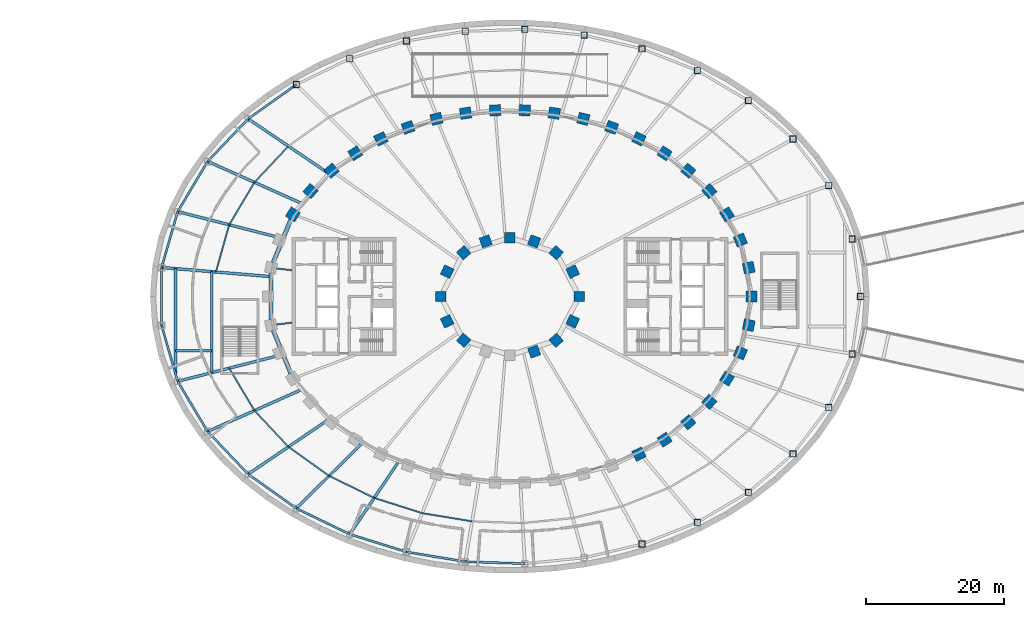
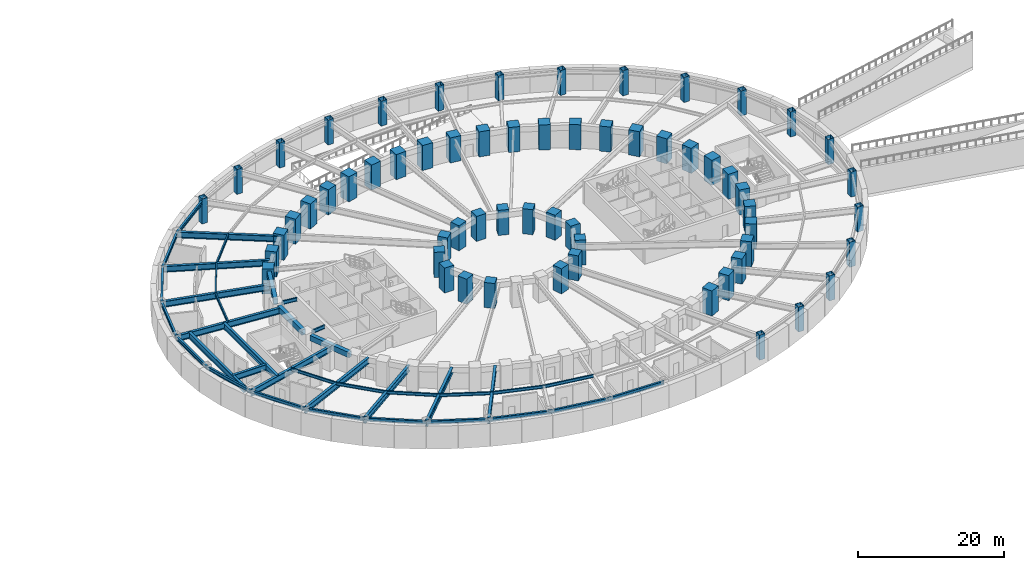
# One storey, part 7 of 32: 61 columns, 39 beams.
"""IFC4 building model written with IfcOpenShell, lengths in metres."""

from ifc_helpers import new_model, si_unit, direction, frame, origin, origin_2d, place, context, subcontext, project, spatial, rectangle, hollow_rectangle, i_section, extrude, material, material_profile, profile_set, type_object, element, save


model = new_model("IFC4")

# Units and contexts
model_context = context("Model", 3, precision=1e-05, world=origin(), true_north=direction((0.0, 1.0)))
body_context = subcontext(model_context, "Body", "Model", "MODEL_VIEW")
ifc_project = project(units=[si_unit("LENGTHUNIT", "METRE"), si_unit("AREAUNIT", "SQUARE_METRE"), si_unit("VOLUMEUNIT", "CUBIC_METRE"), si_unit("PLANEANGLEUNIT", "RADIAN"), si_unit("MASSUNIT", "GRAM", prefix="KILO")], contexts=[model_context])

# Site, building, storey
site_placement = place(None, origin())
site = spatial("IfcSite", under=ifc_project, at=site_placement, CompositionType="ELEMENT")
building_placement = place(site_placement, origin())
building = spatial("IfcBuilding", under=site, at=building_placement, Name="Noorbagh Ring Tower", CompositionType="ELEMENT")
storey_placement = place(building_placement, frame((0.0, 0.0, -4.199951171875)))
storey = spatial("IfcBuildingStorey", under=building, at=storey_placement, Name="B1", CompositionType="ELEMENT", Elevation=-4.199951171875)

# Columns
ifc_material_1 = material(Name="Steel S355", Category="steel")
ifc_material_profile_1 = material_profile(ifc_material_1, hollow_rectangle(XDim=0.89990234375, YDim=0.89990234375, WallThickness=0.044921875, at=origin_2d()), Name="BOX900x900x45")
ifc_profile_set_1 = profile_set([ifc_material_profile_1], Name="Steel S355")
column_type_1 = type_object("IfcColumnType", Name="GND-COL-BOX900x900x45", PredefinedType="COLUMN", material=ifc_profile_set_1)
for number, where, z_axis, x_axis, name in (
    (1, (50.646484375, 0.0, 0.0), (0.0, 0.0, 1.0), (1.0, 0.0, 0.0), "B1/col/RP-01"),
    (2, (49.4609375, 8.304443359375, 0.0), (0.0, 0.0, 1.0), (1.0, 0.0, 0.0), "B1/col/RP-02"),
    (3, (46.081298828125, 16.021240234375, 0.0), (0.0, 0.0, 1.0), (1.0, 0.0, 0.0), "B1/col/RP-03"),
    (4, (40.927734375, 22.75, 0.0), (0.0, 0.0, 1.0), (1.0, 0.0, 0.0), "B1/col/RP-04"),
    (5, (34.46484375, 28.306884765625, 0.0), (0.0, 0.0, 1.0), (1.0, 0.0, 0.0), "B1/col/RP-05"),
    (6, (27.0869140625, 32.648193359375, 0.0), (0.0, 0.0, 1.0), (1.0, 0.0, 0.0), "B1/col/RP-06"),
    (7, (19.0966796875, 35.791748046875, 0.0), (0.0, 0.0, 1.0), (1.0, 0.0, 0.0), "B1/col/RP-07"),
    (8, (10.724609375, 37.771240234375, 0.0), (0.0, 0.0, 1.0), (1.0, 0.0, 0.0), "B1/col/RP-08"),
    (9, (2.154541015625, 38.6142578125, 0.0), (0.0, 0.0, 1.0), (1.0, 0.0, 0.0), "B1/col/RP-09"),
    (10, (-6.4541015625, 38.33349609375, 0.0), (0.0, 0.0, 1.0), (1.0, 0.0, 0.0), "B1/col/RP-10"),
    (11, (-14.946044921875, 36.925048828125, 0.0), (0.0, 0.0, 1.0), (1.0, 0.0, 0.0), "B1/col/RP-11"),
    (12, (-23.152587890625, 34.36767578125, 0.0), (0.0, 0.0, 1.0), (1.0, 0.0, 0.0), "B1/col/RP-12"),
    (13, (-30.869384765625, 30.629150390625, 0.0), (0.0, 0.0, 1.0), (1.0, 0.0, 0.0), "B1/col/RP-13"),
    (14, (19.0966796875, -35.791748046875, 0.0), (0.0, 0.0, 1.0), (1.0, 0.0, 0.0), "B1/col/RP-28"),
    (15, (27.0869140625, -32.648193359375, 0.0), (0.0, 0.0, 1.0), (1.0, 0.0, 0.0), "B1/col/RP-29"),
    (16, (34.46484375, -28.306884765625, 0.0), (0.0, 0.0, 1.0), (1.0, 0.0, 0.0), "B1/col/RP-30"),
    (17, (40.927734375, -22.75, 0.0), (0.0, 0.0, 1.0), (1.0, 0.0, 0.0), "B1/col/RP-31"),
    (18, (46.081298828125, -16.021240234375, 0.0), (0.0, 0.0, 1.0), (1.0, 0.0, 0.0), "B1/col/RP-32"),
    (19, (49.4609375, -8.304443359375, 0.0), (0.0, 0.0, 1.0), (1.0, 0.0, 0.0), "B1/col/RP-33"),
):
    element("IfcColumn", number, at=place(storey_placement, frame(where, z_axis=z_axis, x_axis=x_axis)), inside=storey, type_object=column_type_1, Name=name, PredefinedType="COLUMN", context=body_context, shape_type="SweptSolid", body=[
        extrude(hollow_rectangle(XDim=0.89990234375, YDim=0.89990234375, WallThickness=0.044921875, at=origin_2d()), origin(), (0.0, 0.0, 1.0), 4.199951171875),
    ])
ifc_material_2 = material(Name="Concrete C70/85", Category="concrete")
ifc_material_profile_2 = material_profile(ifc_material_2, rectangle(XDim=1.60009765625, YDim=1.60009765625, at=origin_2d()), Name="RC1600x1600")
ifc_profile_set_2 = profile_set([ifc_material_profile_2], Name="Concrete C70/85")
column_type_2 = type_object("IfcColumnType", Name="STR-COL-RC1600x1600-C70-85", PredefinedType="COLUMN", material=ifc_profile_set_2)
for number, where, z_axis, x_axis, name in (
    (20, (34.944580078125, 0.0, 0.0), (0.0, 0.0, 1.0), (0.0, 1.0, 0.0), "B1/col/R1-01"),
    (21, (34.52685546875, 4.150634765625, 0.0), (0.0, 0.0, 1.0), (-0.19723040178, 0.9803571638, 0.0), "B1/col/R1-02"),
    (22, (33.30517578125, 8.1494140625, 0.0), (0.0, 0.0, 1.0), (-0.378989499959, 0.925400971969, 0.0), "B1/col/R1-03"),
    (23, (31.364990234375, 11.87109375, 0.0), (0.0, 0.0, 1.0), (-0.535190403059, 0.844731455833, 0.0), "B1/col/R1-04"),
    (24, (28.81884765625, 15.23046875, 0.0), (0.0, 0.0, 1.0), (-0.662635642662, 0.748941923699, 0.0), "B1/col/R1-05"),
    (25, (25.78271484375, 18.180419921875, 0.0), (0.0, 0.0, 1.0), (-0.763035199656, 0.646356932419, 0.0), "B1/col/R1-06"),
    (26, (22.362060546875, 20.699951171875, 0.0), (0.0, 0.0, 1.0), (-0.840247639643, 0.542202825586, 0.0), "B1/col/R1-07"),
    (27, (18.646240234375, 22.785400390625, 0.0), (0.0, 0.0, 1.0), (-0.898399080868, 0.439180021741, 0.0), "B1/col/R1-08"),
    (28, (14.70947265625, 24.44091796875, 0.0), (0.0, 0.0, 1.0), (-0.941024726094, 0.338337797003, 0.0), "B1/col/R1-09"),
    (29, (10.61328125, 25.673583984375, 0.0), (0.0, 0.0, 1.0), (-0.970829360981, 0.239771457553, 0.0), "B1/col/R1-10"),
    (30, (6.4091796875, 26.49072265625, 0.0), (0.0, 0.0, 1.0), (-0.989713114048, 0.143066249975, 0.0), "B1/col/R1-11"),
    (31, (2.14306640625, 26.89794921875, 0.0), (0.0, 0.0, 1.0), (-0.998868731212, 0.047552684538, 0.0), "B1/col/R1-12"),
    (32, (-2.14306640625, 26.89794921875, 0.0), (0.0, 0.0, 1.0), (-0.998868731212, -0.047552684538, 0.0), "B1/col/R1-13"),
    (33, (-6.4091796875, 26.49072265625, 0.0), (0.0, 0.0, 1.0), (-0.989713114048, -0.143066249975, 0.0), "B1/col/R1-14"),
    (34, (-10.61328125, 25.673583984375, 0.0), (0.0, 0.0, 1.0), (-0.970829360981, -0.239771457553, 0.0), "B1/col/R1-15"),
    (35, (-14.70947265625, 24.44091796875, 0.0), (0.0, 0.0, 1.0), (-0.941024726094, -0.338337797003, 0.0), "B1/col/R1-16"),
    (36, (-18.646240234375, 22.785400390625, 0.0), (0.0, 0.0, 1.0), (-0.898399080868, -0.439180021741, 0.0), "B1/col/R1-17"),
    (37, (-22.362060546875, 20.699951171875, 0.0), (0.0, 0.0, 1.0), (-0.840247639643, -0.542202825586, 0.0), "B1/col/R1-18"),
    (38, (-25.78271484375, 18.180419921875, 0.0), (0.0, 0.0, 1.0), (-0.763035199656, -0.646356932419, 0.0), "B1/col/R1-19"),
    (39, (-28.81884765625, 15.23046875, 0.0), (0.0, 0.0, 1.0), (-0.662635642662, -0.748941923699, 0.0), "B1/col/R1-20"),
    (40, (-31.364990234375, 11.87109375, 0.0), (0.0, 0.0, 1.0), (-0.535190403059, -0.844731455833, 0.0), "B1/col/R1-21"),
    (41, (18.646240234375, -22.785400390625, 0.0), (0.0, 0.0, 1.0), (0.898399080868, 0.439180021741, 0.0), "B1/col/R1-40"),
    (42, (22.362060546875, -20.699951171875, 0.0), (0.0, 0.0, 1.0), (0.840247639643, 0.542202825586, 0.0), "B1/col/R1-41"),
    (43, (25.78271484375, -18.180419921875, 0.0), (0.0, 0.0, 1.0), (0.763035199656, 0.646356932419, 0.0), "B1/col/R1-42"),
    (44, (28.81884765625, -15.23046875, 0.0), (0.0, 0.0, 1.0), (0.662635642662, 0.748941923699, 0.0), "B1/col/R1-43"),
    (45, (31.364990234375, -11.87109375, 0.0), (0.0, 0.0, 1.0), (0.535190403059, 0.844731455833, 0.0), "B1/col/R1-44"),
    (46, (33.30517578125, -8.1494140625, 0.0), (0.0, 0.0, 1.0), (0.378989499959, 0.925400971969, 0.0), "B1/col/R1-45"),
    (47, (34.52685546875, -4.150634765625, 0.0), (0.0, 0.0, 1.0), (0.19723040178, 0.9803571638, 0.0), "B1/col/R1-46"),
):
    element("IfcColumn", number, at=place(storey_placement, frame(where, z_axis=z_axis, x_axis=x_axis)), inside=storey, type_object=column_type_2, Name=name, PredefinedType="COLUMN", context=body_context, shape_type="SweptSolid", body=[
        extrude(rectangle(XDim=1.60009765625, YDim=1.60009765625, at=origin_2d()), origin(), (0.0, 0.0, 1.0), 4.199951171875),
    ])
ifc_material_3 = material(Name="Concrete C70/85", Category="concrete")
ifc_material_profile_3 = material_profile(ifc_material_3, rectangle(XDim=1.5, YDim=1.5, at=origin_2d()), Name="RC1500x1500")
ifc_profile_set_3 = profile_set([ifc_material_profile_3], Name="Concrete C70/85")
column_type_3 = type_object("IfcColumnType", Name="STR-ICOL-RC1500x1500-C70-85", PredefinedType="COLUMN", material=ifc_profile_set_3)
for number, where, z_axis, x_axis, name in (
    (48, (10.00830078125, 0.0, 0.0), (0.0, 0.0, 1.0), (0.0, 1.0, 0.0), "B1/col/IR2-W01"),
    (49, (9.07568359375, 3.58837890625, 0.0), (0.0, 0.0, 1.0), (-0.428666979171, 0.903462573087, 0.0), "B1/col/IR2-W03"),
    (50, (6.68212890625, 6.333740234375, 0.0), (0.0, 0.0, 1.0), (-0.75102249095, 0.660276622399, 0.0), "B1/col/IR2-W05"),
    (51, (3.5009765625, 7.967041015625, 0.0), (0.0, 0.0, 1.0), (-0.939019578916, 0.343863679984, 0.0), "B1/col/IR2-W07"),
    (52, (0.0, 8.5029296875, 0.0), (0.0, 0.0, 1.0), (-1.0, 0.0, 0.0), "B1/col/IR2-W09"),
    (53, (-3.5009765625, 7.967041015625, 0.0), (0.0, 0.0, 1.0), (-0.939019578916, -0.343863679984, 0.0), "B1/col/IR2-W11"),
    (54, (-6.68212890625, 6.333740234375, 0.0), (0.0, 0.0, 1.0), (-0.75102249095, -0.660276622399, 0.0), "B1/col/IR2-W13"),
    (55, (-9.07568359375, 3.58837890625, 0.0), (0.0, 0.0, 1.0), (-0.428666979171, -0.903462573087, 0.0), "B1/col/IR2-W15"),
    (56, (-10.00830078125, 0.0, 0.0), (0.0, 0.0, 1.0), (0.0, -1.0, 0.0), "B1/col/IR2-W17"),
    (57, (-9.07568359375, -3.58837890625, 0.0), (0.0, 0.0, 1.0), (0.428666979171, -0.903462573087, 0.0), "B1/col/IR2-W19"),
    (58, (-6.68212890625, -6.333740234375, 0.0), (0.0, 0.0, 1.0), (0.75102249095, -0.660276622399, 0.0), "B1/col/IR2-W21"),
    (59, (3.5009765625, -7.967041015625, 0.0), (0.0, 0.0, 1.0), (0.939019578916, 0.343863679984, 0.0), "B1/col/IR2-W27"),
    (60, (6.68212890625, -6.333740234375, 0.0), (0.0, 0.0, 1.0), (0.75102249095, 0.660276622399, 0.0), "B1/col/IR2-W29"),
    (61, (9.07568359375, -3.58837890625, 0.0), (0.0, 0.0, 1.0), (0.428666979171, 0.903462573087, 0.0), "B1/col/IR2-W31"),
):
    element("IfcColumn", number, at=place(storey_placement, frame(where, z_axis=z_axis, x_axis=x_axis)), inside=storey, type_object=column_type_3, Name=name, PredefinedType="COLUMN", context=body_context, shape_type="SweptSolid", body=[
        extrude(rectangle(XDim=1.5, YDim=1.5, at=origin_2d()), origin(), (0.0, 0.0, 1.0), 4.199951171875),
    ])

# Beams
ifc_material_4 = material(Name="Steel S355", Category="steel")
ifc_material_profile_4 = material_profile(ifc_material_4, i_section(OverallWidth=0.300048828125, OverallDepth=0.60009765625, WebThickness=0.015380859375, FlangeThickness=0.030029296875, FilletRadius=0.027099609375, at=origin_2d()), Name="HEB600")
ifc_profile_set_4 = profile_set([ifc_material_profile_4], Name="Steel S355")
beam_type_1 = type_object("IfcBeamType", Name="GND-EDGE-BEAM-HEB600", PredefinedType="BEAM", material=ifc_profile_set_4)
beam_1_placement = place(storey_placement, frame((-30.869384765625, 30.629150390625, 3.550048828125), z_axis=(-0.815104059745, -0.579314570667, 0.0), x_axis=(0.579314570667, -0.815104059745, 0.0)))
element("IfcBeam", 62, at=beam_1_placement, inside=storey, type_object=beam_type_1, Name="B1/bm/ERP-13", PredefinedType="BEAM", context=body_context, shape_type="SweptSolid", body=[
    extrude(i_section(OverallWidth=0.300048828125, OverallDepth=0.60009765625, WebThickness=0.015380859375, FlangeThickness=0.030029296875, FilletRadius=0.027099609375, at=origin_2d()), origin(), (0.0, 0.0, 1.0), 8.543212890625),
])
beam_2_placement = place(storey_placement, frame((-37.8330078125, 25.679931640625, 3.550048828125), z_axis=(-0.689738356688, -0.724058698804, 0.0), x_axis=(0.724058698804, -0.689738356688, 0.0)))
element("IfcBeam", 63, at=beam_2_placement, inside=storey, type_object=beam_type_1, Name="B1/bm/ERP-14", PredefinedType="BEAM", context=body_context, shape_type="SweptSolid", body=[
    extrude(i_section(OverallWidth=0.300048828125, OverallDepth=0.60009765625, WebThickness=0.015380859375, FlangeThickness=0.030029296875, FilletRadius=0.027099609375, at=origin_2d()), origin(), (0.0, 0.0, 1.0), 8.500732421875),
])
beam_3_placement = place(storey_placement, frame((-43.6962890625, 19.52490234375, 3.550048828125), z_axis=(-0.511999358166, -0.858985830638, 0.0), x_axis=(0.858985830638, -0.511999358166, 0.0)))
element("IfcBeam", 64, at=beam_3_placement, inside=storey, type_object=beam_type_1, Name="B1/bm/ERP-15", PredefinedType="BEAM", context=body_context, shape_type="SweptSolid", body=[
    extrude(i_section(OverallWidth=0.300048828125, OverallDepth=0.60009765625, WebThickness=0.015380859375, FlangeThickness=0.030029296875, FilletRadius=0.027099609375, at=origin_2d()), origin(), (0.0, 0.0, 1.0), 8.449462890625),
])
beam_4_placement = place(storey_placement, frame((-48.0224609375, 12.266845703125, 3.550048828125), z_axis=(-0.276646874617, -0.960971647222, 0.0), x_axis=(0.960971647222, -0.276646874617, 0.0)))
element("IfcBeam", 65, at=beam_4_placement, inside=storey, type_object=beam_type_1, Name="B1/bm/ERP-16", PredefinedType="BEAM", context=body_context, shape_type="SweptSolid", body=[
    extrude(i_section(OverallWidth=0.300048828125, OverallDepth=0.60009765625, WebThickness=0.015380859375, FlangeThickness=0.030029296875, FilletRadius=0.027099609375, at=origin_2d()), origin(), (0.0, 0.0, 1.0), 8.403076171875),
])
beam_5_placement = place(storey_placement, frame((-50.34716796875, 4.191650390625, 3.550048828125), z_axis=(0.0, -1.0, 0.0), x_axis=(1.0, 0.0, 0.0)))
element("IfcBeam", 66, at=beam_5_placement, inside=storey, type_object=beam_type_1, Name="B1/bm/ERP-17", PredefinedType="BEAM", context=body_context, shape_type="SweptSolid", body=[
    extrude(i_section(OverallWidth=0.300048828125, OverallDepth=0.60009765625, WebThickness=0.015380859375, FlangeThickness=0.030029296875, FilletRadius=0.027099609375, at=origin_2d()), origin(), (0.0, 0.0, 1.0), 8.38330078125),
])
beam_6_placement = place(storey_placement, frame((-50.34716796875, -4.191650390625, 3.550048828125), z_axis=(0.276646874617, -0.960971647222, 0.0), x_axis=(0.960971647222, 0.276646874617, 0.0)))
element("IfcBeam", 67, at=beam_6_placement, inside=storey, type_object=beam_type_1, Name="B1/bm/ERP-18", PredefinedType="BEAM", context=body_context, shape_type="SweptSolid", body=[
    extrude(i_section(OverallWidth=0.300048828125, OverallDepth=0.60009765625, WebThickness=0.015380859375, FlangeThickness=0.030029296875, FilletRadius=0.027099609375, at=origin_2d()), origin(), (0.0, 0.0, 1.0), 8.403076171875),
])
beam_7_placement = place(storey_placement, frame((-48.0224609375, -12.266845703125, 3.550048828125), z_axis=(0.511999358166, -0.858985830638, 0.0), x_axis=(0.858985830638, 0.511999358166, 0.0)))
element("IfcBeam", 68, at=beam_7_placement, inside=storey, type_object=beam_type_1, Name="B1/bm/ERP-19", PredefinedType="BEAM", context=body_context, shape_type="SweptSolid", body=[
    extrude(i_section(OverallWidth=0.300048828125, OverallDepth=0.60009765625, WebThickness=0.015380859375, FlangeThickness=0.030029296875, FilletRadius=0.027099609375, at=origin_2d()), origin(), (0.0, 0.0, 1.0), 8.449462890625),
])
beam_8_placement = place(storey_placement, frame((-43.6962890625, -19.52490234375, 3.550048828125), z_axis=(0.689738356688, -0.724058698804, 0.0), x_axis=(0.724058698804, 0.689738356688, 0.0)))
element("IfcBeam", 69, at=beam_8_placement, inside=storey, type_object=beam_type_1, Name="B1/bm/ERP-20", PredefinedType="BEAM", context=body_context, shape_type="SweptSolid", body=[
    extrude(i_section(OverallWidth=0.300048828125, OverallDepth=0.60009765625, WebThickness=0.015380859375, FlangeThickness=0.030029296875, FilletRadius=0.027099609375, at=origin_2d()), origin(), (0.0, 0.0, 1.0), 8.500732421875),
])
beam_9_placement = place(storey_placement, frame((-37.8330078125, -25.679931640625, 3.550048828125), z_axis=(0.815104059745, -0.579314570667, 0.0), x_axis=(0.579314570667, 0.815104059745, 0.0)))
element("IfcBeam", 70, at=beam_9_placement, inside=storey, type_object=beam_type_1, Name="B1/bm/ERP-21", PredefinedType="BEAM", context=body_context, shape_type="SweptSolid", body=[
    extrude(i_section(OverallWidth=0.300048828125, OverallDepth=0.60009765625, WebThickness=0.015380859375, FlangeThickness=0.030029296875, FilletRadius=0.027099609375, at=origin_2d()), origin(), (0.0, 0.0, 1.0), 8.543212890625),
])
beam_10_placement = place(storey_placement, frame((-30.869384765625, -30.629150390625, 3.550048828125), z_axis=(0.89994920641, -0.435994754421, 0.0), x_axis=(0.435994754421, 0.89994920641, 0.0)))
element("IfcBeam", 71, at=beam_10_placement, inside=storey, type_object=beam_type_1, Name="B1/bm/ERP-22", PredefinedType="BEAM", context=body_context, shape_type="SweptSolid", body=[
    extrude(i_section(OverallWidth=0.300048828125, OverallDepth=0.60009765625, WebThickness=0.015380859375, FlangeThickness=0.030029296875, FilletRadius=0.027099609375, at=origin_2d()), origin(), (0.0, 0.0, 1.0), 8.57470703125),
])
beam_11_placement = place(storey_placement, frame((-23.152587890625, -34.36767578125, 3.550048828125), z_axis=(0.954717204091, -0.297514806713, 0.0), x_axis=(0.297514806713, 0.954717204091, 0.0)))
element("IfcBeam", 72, at=beam_11_placement, inside=storey, type_object=beam_type_1, Name="B1/bm/ERP-23", PredefinedType="BEAM", context=body_context, shape_type="SweptSolid", body=[
    extrude(i_section(OverallWidth=0.300048828125, OverallDepth=0.60009765625, WebThickness=0.015380859375, FlangeThickness=0.030029296875, FilletRadius=0.027099609375, at=origin_2d()), origin(), (0.0, 0.0, 1.0), 8.595703125),
])
beam_12_placement = place(storey_placement, frame((-14.946044921875, -36.925048828125, 3.550048828125), z_axis=(0.986523163949, -0.163621658075, 0.0), x_axis=(0.163621658075, 0.986523163949, 0.0)))
element("IfcBeam", 73, at=beam_12_placement, inside=storey, type_object=beam_type_1, Name="B1/bm/ERP-24", PredefinedType="BEAM", context=body_context, shape_type="SweptSolid", body=[
    extrude(i_section(OverallWidth=0.300048828125, OverallDepth=0.60009765625, WebThickness=0.015380859375, FlangeThickness=0.030029296875, FilletRadius=0.027099609375, at=origin_2d()), origin(), (0.0, 0.0, 1.0), 8.60791015625),
])
beam_13_placement = place(storey_placement, frame((-6.4541015625, -38.33349609375, 3.550048828125), z_axis=(0.999468589483, -0.032596604688, 0.0), x_axis=(0.032596604688, 0.999468589483, 0.0)))
element("IfcBeam", 74, at=beam_13_placement, inside=storey, type_object=beam_type_1, Name="B1/bm/ERP-25", PredefinedType="BEAM", context=body_context, shape_type="SweptSolid", body=[
    extrude(i_section(OverallWidth=0.300048828125, OverallDepth=0.60009765625, WebThickness=0.015380859375, FlangeThickness=0.030029296875, FilletRadius=0.027099609375, at=origin_2d()), origin(), (0.0, 0.0, 1.0), 8.61328125),
])
ifc_material_5 = material(Name="Steel S355", Category="steel")
ifc_material_profile_5 = material_profile(ifc_material_5, i_section(OverallWidth=0.39990234375, OverallDepth=1.0, WebThickness=0.01611328125, FlangeThickness=0.0400390625, at=origin_2d()), Name="PG1000x400x16x40")
ifc_profile_set_5 = profile_set([ifc_material_profile_5], Name="Steel S355")
beam_type_2 = type_object("IfcBeamType", Name="GND-GIRDER-PG1000x400x16x40", PredefinedType="BEAM", material=ifc_profile_set_5)
beam_14_placement = place(storey_placement, frame((-37.8330078125, 25.679931640625, 3.349853515625), z_axis=(0.82739656341, -0.561618132593, 0.0), x_axis=(0.561618132593, 0.82739656341, 0.0)))
element("IfcBeam", 75, at=beam_14_placement, inside=storey, type_object=beam_type_2, Name="B1/bm/GRP-14", PredefinedType="BEAM", context=body_context, shape_type="SweptSolid", body=[
    extrude(i_section(OverallWidth=0.39990234375, OverallDepth=1.0, WebThickness=0.01611328125, FlangeThickness=0.0400390625, at=origin_2d()), origin(), (0.0, 0.0, 1.0), 14.06640625),
])
beam_15_placement = place(storey_placement, frame((-43.6962890625, 19.52490234375, 3.349853515625), z_axis=(0.91299879945, -0.4079622436, 0.0), x_axis=(0.4079622436, 0.91299879945, 0.0)))
element("IfcBeam", 76, at=beam_15_placement, inside=storey, type_object=beam_type_2, Name="B1/bm/GRP-15", PredefinedType="BEAM", context=body_context, shape_type="SweptSolid", body=[
    extrude(i_section(OverallWidth=0.39990234375, OverallDepth=1.0, WebThickness=0.01611328125, FlangeThickness=0.0400390625, at=origin_2d()), origin(), (0.0, 0.0, 1.0), 14.8359375),
])
beam_16_placement = place(storey_placement, frame((-48.0224609375, 12.266845703125, 3.349853515625), z_axis=(0.968889089752, -0.247495316642, 0.0), x_axis=(0.247495316642, 0.968889089752, 0.0)))
element("IfcBeam", 77, at=beam_16_placement, inside=storey, type_object=beam_type_2, Name="B1/bm/GRP-16", PredefinedType="BEAM", context=body_context, shape_type="SweptSolid", body=[
    extrude(i_section(OverallWidth=0.39990234375, OverallDepth=1.0, WebThickness=0.01611328125, FlangeThickness=0.0400390625, at=origin_2d()), origin(), (0.0, 0.0, 1.0), 15.35986328125),
])
beam_17_placement = place(storey_placement, frame((-50.34716796875, 4.191650390625, 3.349853515625), z_axis=(0.996552811546, -0.082960796767, 0.0), x_axis=(0.082960796767, 0.996552811546, 0.0)))
element("IfcBeam", 78, at=beam_17_placement, inside=storey, type_object=beam_type_2, Name="B1/bm/GRP-17", PredefinedType="BEAM", context=body_context, shape_type="SweptSolid", body=[
    extrude(i_section(OverallWidth=0.39990234375, OverallDepth=1.0, WebThickness=0.01611328125, FlangeThickness=0.0400390625, at=origin_2d()), origin(), (0.0, 0.0, 1.0), 15.7470703125),
])
beam_18_placement = place(storey_placement, frame((-48.0224609375, -12.266845703125, 3.349853515625), z_axis=(0.968889089752, 0.247495316642, 0.0), x_axis=(-0.247495316642, 0.968889089752, 0.0)))
element("IfcBeam", 79, at=beam_18_placement, inside=storey, type_object=beam_type_2, Name="B1/bm/GRP-19", PredefinedType="BEAM", context=body_context, shape_type="SweptSolid", body=[
    extrude(i_section(OverallWidth=0.39990234375, OverallDepth=1.0, WebThickness=0.01611328125, FlangeThickness=0.0400390625, at=origin_2d()), origin(), (0.0, 0.0, 1.0), 15.35986328125),
])
beam_19_placement = place(storey_placement, frame((-43.6962890625, -19.52490234375, 3.349853515625), z_axis=(0.91299879945, 0.4079622436, 0.0), x_axis=(-0.4079622436, 0.91299879945, 0.0)))
element("IfcBeam", 80, at=beam_19_placement, inside=storey, type_object=beam_type_2, Name="B1/bm/GRP-20", PredefinedType="BEAM", context=body_context, shape_type="SweptSolid", body=[
    extrude(i_section(OverallWidth=0.39990234375, OverallDepth=1.0, WebThickness=0.01611328125, FlangeThickness=0.0400390625, at=origin_2d()), origin(), (0.0, 0.0, 1.0), 14.8359375),
])
beam_20_placement = place(storey_placement, frame((-37.8330078125, -25.679931640625, 3.349853515625), z_axis=(0.82739656341, 0.561618132593, 0.0), x_axis=(-0.561618132593, 0.82739656341, 0.0)))
element("IfcBeam", 81, at=beam_20_placement, inside=storey, type_object=beam_type_2, Name="B1/bm/GRP-21", PredefinedType="BEAM", context=body_context, shape_type="SweptSolid", body=[
    extrude(i_section(OverallWidth=0.39990234375, OverallDepth=1.0, WebThickness=0.01611328125, FlangeThickness=0.0400390625, at=origin_2d()), origin(), (0.0, 0.0, 1.0), 14.06640625),
])
beam_21_placement = place(storey_placement, frame((-30.869384765625, -30.629150390625, 3.349853515625), z_axis=(0.70986613718, 0.704336615039, 0.0), x_axis=(-0.704336615039, 0.70986613718, 0.0)))
element("IfcBeam", 82, at=beam_21_placement, inside=storey, type_object=beam_type_2, Name="B1/bm/GRP-22", PredefinedType="BEAM", context=body_context, shape_type="SweptSolid", body=[
    extrude(i_section(OverallWidth=0.39990234375, OverallDepth=1.0, WebThickness=0.01611328125, FlangeThickness=0.0400390625, at=origin_2d()), origin(), (0.0, 0.0, 1.0), 13.333984375),
])
beam_22_placement = place(storey_placement, frame((-23.152587890625, -34.36767578125, 3.349853515625), z_axis=(0.558711358029, 0.829362175656, 0.0), x_axis=(-0.829362175656, 0.558711358029, 0.0)))
element("IfcBeam", 83, at=beam_22_placement, inside=storey, type_object=beam_type_2, Name="B1/bm/GRP-23", PredefinedType="BEAM", context=body_context, shape_type="SweptSolid", body=[
    extrude(i_section(OverallWidth=0.39990234375, OverallDepth=1.0, WebThickness=0.01611328125, FlangeThickness=0.0400390625, at=origin_2d()), origin(), (0.0, 0.0, 1.0), 12.6630859375),
])
beam_23_placement = place(storey_placement, frame((-48.35009765625, -11.128662109375, 3.349853515625), z_axis=(0.0, 1.0, 0.0), x_axis=(-1.0, 0.0, 0.0)))
element("IfcBeam", 84, at=beam_23_placement, inside=storey, type_object=beam_type_2, Name="B1/bm/WB-ST-P3-W", PredefinedType="BEAM", context=body_context, shape_type="SweptSolid", body=[
    extrude(i_section(OverallWidth=0.39990234375, OverallDepth=1.0, WebThickness=0.01611328125, FlangeThickness=0.0400390625, at=origin_2d()), origin(), (0.0, 0.0, 1.0), 15.154052734375),
])
beam_24_placement = place(storey_placement, frame((-43.10009765625, -11.009521484375, 3.349853515625), z_axis=(0.0, 1.0, 0.0), x_axis=(-1.0, 0.0, 0.0)))
element("IfcBeam", 85, at=beam_24_placement, inside=storey, type_object=beam_type_2, Name="B1/bm/WB-ST-P3-E", PredefinedType="BEAM", context=body_context, shape_type="SweptSolid", body=[
    extrude(i_section(OverallWidth=0.39990234375, OverallDepth=1.0, WebThickness=0.01611328125, FlangeThickness=0.0400390625, at=origin_2d()), origin(), (0.0, 0.0, 1.0), 14.597900390625),
])
beam_25_placement = place(storey_placement, frame((-48.35009765625, -7.85009765625, 3.349853515625), z_axis=(1.0, 0.0, 0.0), x_axis=(0.0, 1.0, 0.0)))
element("IfcBeam", 86, at=beam_25_placement, inside=storey, type_object=beam_type_2, Name="B1/bm/WB-ST-P3-S", PredefinedType="BEAM", context=body_context, shape_type="SweptSolid", body=[
    extrude(i_section(OverallWidth=0.39990234375, OverallDepth=1.0, WebThickness=0.01611328125, FlangeThickness=0.0400390625, at=origin_2d()), origin(), (0.0, 0.0, 1.0), 5.25),
])
ifc_material_6 = material(Name="Steel S355", Category="steel")
ifc_material_profile_6 = material_profile(ifc_material_6, i_section(OverallWidth=0.199951171875, OverallDepth=0.5, WebThickness=0.01025390625, FlangeThickness=0.01611328125, FilletRadius=0.02099609375, at=origin_2d()), Name="IPE500")
ifc_profile_set_6 = profile_set([ifc_material_profile_6], Name="Steel S355")
beam_type_3 = type_object("IfcBeamType", Name="GND-MID-BEAM-IPE500", PredefinedType="JOIST", material=ifc_profile_set_6)
beam_26_placement = place(storey_placement, frame((-32.013916015625, 21.72998046875, 3.599853515625), z_axis=(-0.684360968268, -0.729143377609, 0.0), x_axis=(0.729143377609, -0.684360968268, 0.0)))
element("IfcBeam", 87, at=beam_26_placement, inside=storey, type_object=beam_type_3, Name="B1/bm/MRP-14", PredefinedType="JOIST", context=body_context, shape_type="SweptSolid", body=[
    extrude(i_section(OverallWidth=0.199951171875, OverallDepth=0.5, WebThickness=0.01025390625, FlangeThickness=0.01611328125, FilletRadius=0.02099609375, at=origin_2d()), origin(), (0.0, 0.0, 1.0), 7.174560546875),
])
beam_27_placement = place(storey_placement, frame((-36.923828125, 16.498779296875, 3.599853515625), z_axis=(-0.512221226457, -0.858853546984, 0.0), x_axis=(0.858853546984, -0.512221226457, 0.0)))
element("IfcBeam", 88, at=beam_27_placement, inside=storey, type_object=beam_type_3, Name="B1/bm/MRP-15", PredefinedType="JOIST", context=body_context, shape_type="SweptSolid", body=[
    extrude(i_section(OverallWidth=0.199951171875, OverallDepth=0.5, WebThickness=0.01025390625, FlangeThickness=0.01611328125, FilletRadius=0.02099609375, at=origin_2d()), origin(), (0.0, 0.0, 1.0), 7.140380859375),
])
beam_28_placement = place(storey_placement, frame((-40.581298828125, 10.3662109375, 3.599853515625), z_axis=(-0.270635919065, -0.962681774686, 0.0), x_axis=(0.962681774686, -0.270635919065, 0.0)))
element("IfcBeam", 89, at=beam_28_placement, inside=storey, type_object=beam_type_3, Name="B1/bm/MRP-16", PredefinedType="JOIST", context=body_context, shape_type="SweptSolid", body=[
    extrude(i_section(OverallWidth=0.199951171875, OverallDepth=0.5, WebThickness=0.01025390625, FlangeThickness=0.01611328125, FilletRadius=0.02099609375, at=origin_2d()), origin(), (0.0, 0.0, 1.0), 7.09228515625),
])
beam_29_placement = place(storey_placement, frame((-40.581298828125, -10.3662109375, 3.599853515625), z_axis=(0.512221226457, -0.858853546984, 0.0), x_axis=(0.858853546984, 0.512221226457, 0.0)))
element("IfcBeam", 90, at=beam_29_placement, inside=storey, type_object=beam_type_3, Name="B1/bm/MRP-19", PredefinedType="JOIST", context=body_context, shape_type="SweptSolid", body=[
    extrude(i_section(OverallWidth=0.199951171875, OverallDepth=0.5, WebThickness=0.01025390625, FlangeThickness=0.01611328125, FilletRadius=0.02099609375, at=origin_2d()), origin(), (0.0, 0.0, 1.0), 7.140380859375),
])
beam_30_placement = place(storey_placement, frame((-36.923828125, -16.498779296875, 3.599853515625), z_axis=(0.684360968268, -0.729143377609, 0.0), x_axis=(0.729143377609, 0.684360968268, 0.0)))
element("IfcBeam", 91, at=beam_30_placement, inside=storey, type_object=beam_type_3, Name="B1/bm/MRP-20", PredefinedType="JOIST", context=body_context, shape_type="SweptSolid", body=[
    extrude(i_section(OverallWidth=0.199951171875, OverallDepth=0.5, WebThickness=0.01025390625, FlangeThickness=0.01611328125, FilletRadius=0.02099609375, at=origin_2d()), origin(), (0.0, 0.0, 1.0), 7.174560546875),
])
beam_31_placement = place(storey_placement, frame((-32.013916015625, -21.72998046875, 3.599853515625), z_axis=(0.813381743113, -0.581730298308, 0.0), x_axis=(0.581730298308, 0.813381743113, 0.0)))
element("IfcBeam", 92, at=beam_31_placement, inside=storey, type_object=beam_type_3, Name="B1/bm/MRP-21", PredefinedType="JOIST", context=body_context, shape_type="SweptSolid", body=[
    extrude(i_section(OverallWidth=0.199951171875, OverallDepth=0.5, WebThickness=0.01025390625, FlangeThickness=0.01611328125, FilletRadius=0.02099609375, at=origin_2d()), origin(), (0.0, 0.0, 1.0), 7.2255859375),
])
beam_32_placement = place(storey_placement, frame((-26.13671875, -25.933349609375, 3.599853515625), z_axis=(0.898658812704, -0.438648308271, 0.0), x_axis=(0.438648308271, 0.898658812704, 0.0)))
element("IfcBeam", 93, at=beam_32_placement, inside=storey, type_object=beam_type_3, Name="B1/bm/MRP-22", PredefinedType="JOIST", context=body_context, shape_type="SweptSolid", body=[
    extrude(i_section(OverallWidth=0.199951171875, OverallDepth=0.5, WebThickness=0.01025390625, FlangeThickness=0.01611328125, FilletRadius=0.02099609375, at=origin_2d()), origin(), (0.0, 0.0, 1.0), 7.257080078125),
])
beam_33_placement = place(storey_placement, frame((-19.614990234375, -29.11669921875, 3.599853515625), z_axis=(0.9531202752, -0.302591706765, 0.0), x_axis=(0.302591706765, 0.9531202752, 0.0)))
element("IfcBeam", 94, at=beam_33_placement, inside=storey, type_object=beam_type_3, Name="B1/bm/MRP-23", PredefinedType="JOIST", context=body_context, shape_type="SweptSolid", body=[
    extrude(i_section(OverallWidth=0.199951171875, OverallDepth=0.5, WebThickness=0.01025390625, FlangeThickness=0.01611328125, FilletRadius=0.02099609375, at=origin_2d()), origin(), (0.0, 0.0, 1.0), 7.279296875),
])
beam_34_placement = place(storey_placement, frame((-12.677001953125, -31.3193359375, 3.599853515625), z_axis=(0.986756598534, -0.162207938309, 0.0), x_axis=(0.162207938309, 0.986756598534, 0.0)))
element("IfcBeam", 95, at=beam_34_placement, inside=storey, type_object=beam_type_3, Name="B1/bm/MRP-24", PredefinedType="JOIST", context=body_context, shape_type="SweptSolid", body=[
    extrude(i_section(OverallWidth=0.199951171875, OverallDepth=0.5, WebThickness=0.01025390625, FlangeThickness=0.01611328125, FilletRadius=0.02099609375, at=origin_2d()), origin(), (0.0, 0.0, 1.0), 7.30126953125),
])
ifc_material_7 = material(Name="Steel S355", Category="steel")
ifc_material_profile_7 = material_profile(ifc_material_7, i_section(OverallWidth=0.219970703125, OverallDepth=0.60009765625, WebThickness=0.011962890625, FlangeThickness=0.01904296875, FilletRadius=0.02392578125, at=origin_2d()), Name="IPE600")
ifc_profile_set_7 = profile_set([ifc_material_profile_7], Name="Steel S355")
beam_type_4 = type_object("IfcBeamType", Name="STR-RAD-IPE600", PredefinedType="BEAM", material=ifc_profile_set_7)
for number, where, z_axis, x_axis, name in (
    (96, (-33.75, 4.057373046875, 3.550048828125), (0.992846993178, -0.11939366875, 0.0), (0.11939366875, 0.992846993178, 0.0), "B1/bm/RD23"),
    (97, (-33.75, -4.057373046875, 3.550048828125), (0.992846993178, 0.11939366875, 0.0), (-0.11939366875, 0.992846993178, 0.0), "B1/bm/RD25"),
):
    element("IfcBeam", number, at=place(storey_placement, frame(where, z_axis=z_axis, x_axis=x_axis)), inside=storey, type_object=beam_type_4, Name=name, PredefinedType="BEAM", context=body_context, shape_type="SweptSolid", body=[
        extrude(i_section(OverallWidth=0.219970703125, OverallDepth=0.60009765625, WebThickness=0.011962890625, FlangeThickness=0.01904296875, FilletRadius=0.02392578125, at=origin_2d()), origin(), (0.0, 0.0, 1.0), 2.2861328125),
    ])
ifc_material_8 = material(Name="Concrete C40/50", Category="concrete")
ifc_material_profile_8 = material_profile(ifc_material_8, rectangle(XDim=0.60009765625, YDim=0.89990234375, at=origin_2d()), Name="RC600x900")
ifc_profile_set_8 = profile_set([ifc_material_profile_8], Name="Concrete C40/50")
beam_type_5 = type_object("IfcBeamType", Name="STR-SB-RC600x900-C40-50", PredefinedType="BEAM", material=ifc_profile_set_8)
beam_35_placement = place(storey_placement, frame((-31.665283203125, 11.137451171875, 3.39990234375), z_axis=(-0.378998692222, -0.925397207308, 0.0), x_axis=(0.925397207308, -0.378998692222, 0.0)))
element("IfcBeam", 98, at=beam_35_placement, inside=storey, type_object=beam_type_5, Name="B1/bm/SP21", PredefinedType="BEAM", context=body_context, shape_type="SweptSolid", body=[
    extrude(rectangle(XDim=0.60009765625, YDim=0.89990234375, at=origin_2d()), origin(), (0.0, 0.0, 1.0), 6.75537109375),
])
beam_36_placement = place(storey_placement, frame((-34.52685546875, 3.354736328125, 3.39990234375), z_axis=(0.0, -1.0, 0.0), x_axis=(1.0, 0.0, 0.0)))
element("IfcBeam", 99, at=beam_36_placement, inside=storey, type_object=beam_type_5, Name="B1/bm/SP23", PredefinedType="BEAM", context=body_context, shape_type="SweptSolid", body=[
    extrude(rectangle(XDim=0.60009765625, YDim=0.89990234375, at=origin_2d()), origin(), (0.0, 0.0, 1.0), 6.70947265625),
])
beam_37_placement = place(storey_placement, frame((-34.2255859375, -4.885986328125, 3.39990234375), z_axis=(0.378998692222, -0.925397207308, 0.0), x_axis=(0.925397207308, 0.378998692222, 0.0)))
element("IfcBeam", 100, at=beam_37_placement, inside=storey, type_object=beam_type_5, Name="B1/bm/SP25", PredefinedType="BEAM", context=body_context, shape_type="SweptSolid", body=[
    extrude(rectangle(XDim=0.60009765625, YDim=0.89990234375, at=origin_2d()), origin(), (0.0, 0.0, 1.0), 6.75537109375),
])

save(model, "model.ifc")
